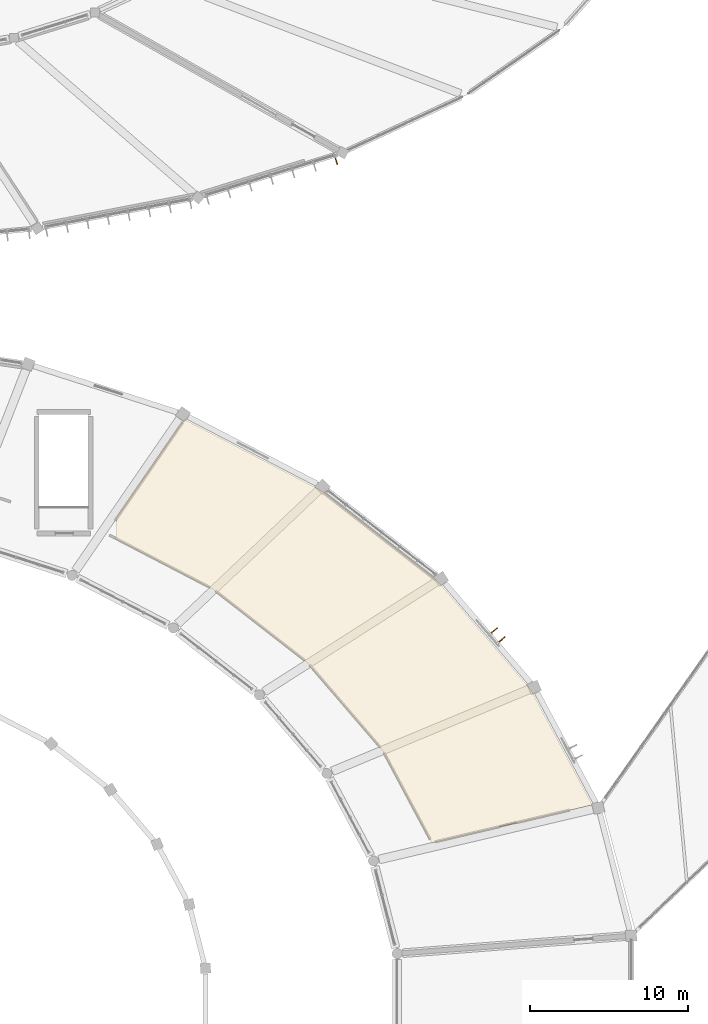
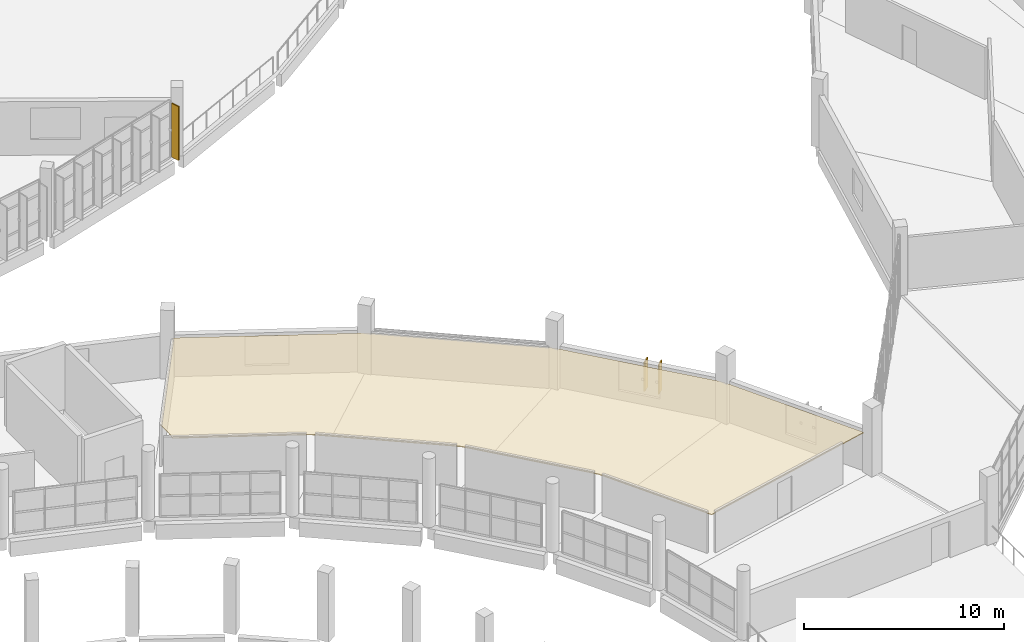
# One storey, part 137 of 142: 3 shading devices, 1 covering.
"""IFC4 building model written with IfcOpenShell, lengths in metres."""

from ifc_helpers import new_model, si_unit, direction, frame, origin, origin_2d, place, context, subcontext, project, spatial, polyline, rectangle, outline, extrude, material, layer, layer_set, type_object, element, save


model = new_model("IFC4")

# Units and contexts
model_context = context("Model", 3, precision=1e-05, world=origin(), true_north=direction((0.0, 1.0)))
body_context = subcontext(model_context, "Body", "Model", "MODEL_VIEW")
ifc_project = project(units=[si_unit("LENGTHUNIT", "METRE"), si_unit("AREAUNIT", "SQUARE_METRE"), si_unit("VOLUMEUNIT", "CUBIC_METRE"), si_unit("PLANEANGLEUNIT", "RADIAN"), si_unit("MASSUNIT", "GRAM", prefix="KILO")], contexts=[model_context])

# Site, building, storey
site_placement = place(None, origin())
site = spatial("IfcSite", under=ifc_project, at=site_placement, CompositionType="ELEMENT")
building_placement = place(site_placement, origin())
building = spatial("IfcBuilding", under=site, at=building_placement, Name="Corvandel Quay Wholesale Market", CompositionType="ELEMENT")
storey_placement = place(building_placement, frame((0.0, 0.0, 10.800048828125)))
storey = spatial("IfcBuildingStorey", under=building, at=storey_placement, Name="L02", CompositionType="ELEMENT", Elevation=10.800048828125)

# Covering
ifc_material_1 = material(Name="Perforated powder-coated aluminium acoustic panel", Category="aluminium")
ifc_layer = layer(ifc_material_1, 0.044921875)
ifc_layer_set = layer_set([ifc_layer], Name="Perforated powder-coated aluminium acoustic panel")
covering_type = type_object("IfcCoveringType", Name="Perforated Acoustic Baffle Ceiling CLG01", PredefinedType="CEILING", material=ifc_layer_set)
covering_placement = place(storey_placement, frame((0.0, 0.0, 2.39990234375)))
element("IfcCovering", 1, at=covering_placement, inside=storey, type_object=covering_type, Name="Suspended Ceiling CLG-005", PredefinedType="CEILING", context=body_context, shape_type="SweptSolid", body=[
    extrude(outline(polyline([(147.451904296875, 63.4580078125), (141.4609375, 68.114990234375), (135.283935546875, 71.324951171875), (135.31494140625, 71.448974609375), (135.341064453125, 71.6240234375), (135.35009765625, 71.800048828125), (135.35009765625, 72.60693359375), (139.654052734375, 78.867919921875), (139.655029296875, 78.8701171875), (139.656005859375, 78.87109375), (139.656982421875, 78.873046875), (139.658935546875, 78.8740234375), (139.660888671875, 78.875), (139.662109375, 78.8759765625), (139.6640625, 78.8759765625), (139.666015625, 78.876953125), (139.66796875, 78.876953125), (139.669921875, 78.876953125), (139.672119140625, 78.876953125), (139.674072265625, 78.876953125), (139.676025390625, 78.8759765625), (139.677001953125, 78.8759765625), (139.678955078125, 78.875), (148.280029296875, 74.405029296875), (148.281982421875, 74.404052734375), (148.282958984375, 74.403076171875), (155.762939453125, 68.5849609375), (155.764892578125, 68.5830078125), (155.76611328125, 68.58203125), (161.635986328125, 61.748046875), (161.637939453125, 61.74609375), (161.638916015625, 61.743896484375), (165.52490234375, 54.448974609375), (165.52490234375, 54.447998046875), (165.52587890625, 54.446044921875), (165.527099609375, 54.444091796875), (165.527099609375, 54.44189453125), (165.527099609375, 54.43994140625), (165.527099609375, 54.43798828125), (165.527099609375, 54.43603515625), (165.52587890625, 54.43408203125), (165.52587890625, 54.43310546875), (165.52490234375, 54.430908203125), (165.52392578125, 54.428955078125), (165.52294921875, 54.427978515625), (165.52099609375, 54.426025390625), (165.52001953125, 54.425048828125), (165.51904296875, 54.424072265625), (165.51708984375, 54.423095703125), (165.514892578125, 54.422119140625), (165.512939453125, 54.4208984375), (165.511962890625, 54.4208984375), (155.365966796875, 52.027099609375), (155.364013671875, 52.02587890625), (155.362060546875, 52.02587890625), (155.360107421875, 52.02587890625), (155.35791015625, 52.02587890625), (155.35595703125, 52.027099609375), (155.35400390625, 52.027099609375), (155.35205078125, 52.028076171875), (155.35009765625, 52.029052734375), (155.347900390625, 52.030029296875), (155.346923828125, 52.031982421875), (155.345947265625, 52.032958984375), (155.343994140625, 52.034912109375), (155.343017578125, 52.037109375), (152.214111328125, 57.910888671875), (147.451904296875, 63.4580078125)])), origin(), (0.0, 0.0, 1.0), 0.045166015625),
])

# Shading devices
ifc_material_2 = material(Name="Bronze anodised extruded aluminium 6063-T6", Category="aluminium")
shading_device_type = type_object("IfcShadingDeviceType", Name="Vertical Anodised Bronze Solar Fin FN01 480mm", PredefinedType="JALOUSIE", material=ifc_material_2)
for number, where, z_axis, x_axis, name in (
    (2, (159.81982421875, 64.937255859375, 0.5498046875), (0.0, 0.0, 1.0), (0.758589401976, 0.651568967347, 0.0), "Solar Fin 0026"),
    (3, (159.331298828125, 65.506103515625, 0.5498046875), (0.0, 0.0, 1.0), (0.758589401976, 0.651568967347, 0.0), "Solar Fin 0027"),
):
    element("IfcShadingDevice", number, at=place(storey_placement, frame(where, z_axis=z_axis, x_axis=x_axis)), inside=storey, type_object=shading_device_type, Name=name, PredefinedType="JALOUSIE", context=body_context, shape_type="SweptSolid", body=[
        extrude(rectangle(XDim=0.47998046875, YDim=0.06494140625, at=origin_2d()), origin(), (0.0, 0.0, 1.0), 1.800048828125),
    ])
shading_device_placement = place(storey_placement, frame((149.294921875, 95.281005859375, 0.10009765625), z_axis=(0.0, 0.0, 1.0), x_axis=(-0.296208192067, 0.955123398809, 0.0)))
element("IfcShadingDevice", 4, at=shading_device_placement, inside=storey, type_object=shading_device_type, Name="Solar Fin 0400", PredefinedType="JALOUSIE", context=body_context, shape_type="SweptSolid", body=[
    extrude(rectangle(XDim=0.47998046875, YDim=0.06494140625, at=origin_2d()), origin(), (0.0, 0.0, 1.0), 3.300048828125),
])

save(model, "model.ifc")
